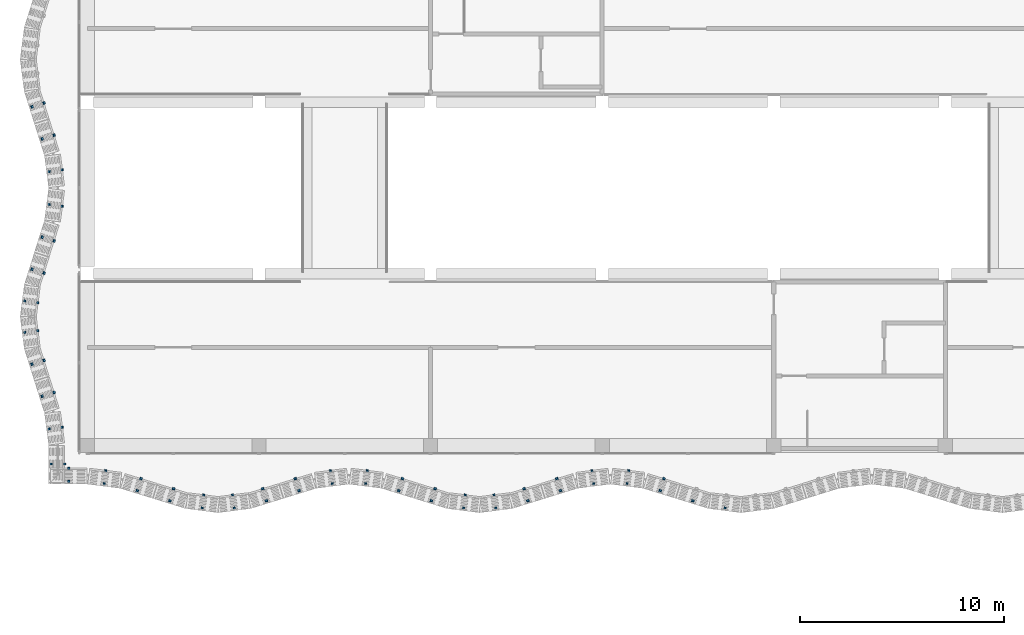
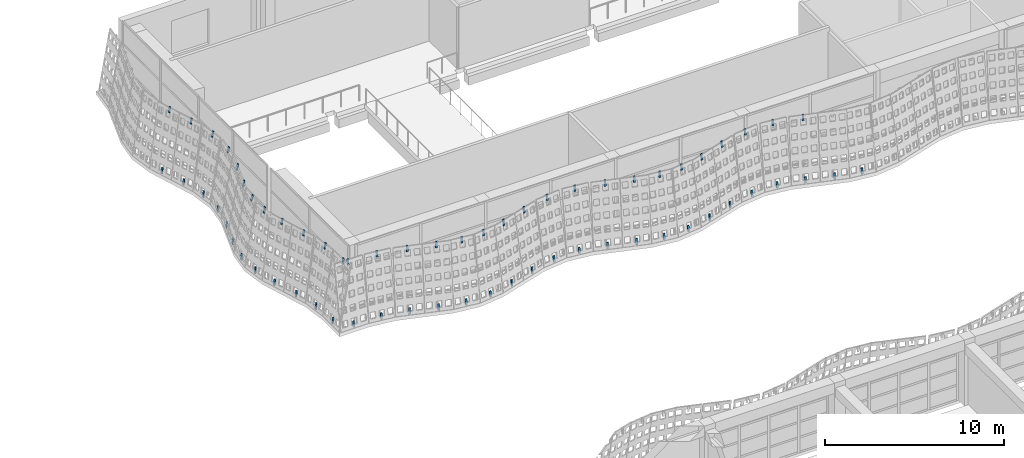
# One storey, part 104 of 162: 64 discrete accessories.
"""IFC4 building model written with IfcOpenShell, lengths in metres."""

from ifc_helpers import new_model, si_unit, direction, frame, origin, origin_2d, place, context, subcontext, project, spatial, rectangle, extrude, material, material_profile, profile_set, type_object, element, save


model = new_model("IFC4")

# Units and contexts
model_context = context("Model", 3, precision=1e-05, world=origin(), true_north=direction((0.0, 1.0)))
body_context = subcontext(model_context, "Body", "Model", "MODEL_VIEW")
ifc_project = project(units=[si_unit("LENGTHUNIT", "METRE"), si_unit("AREAUNIT", "SQUARE_METRE"), si_unit("VOLUMEUNIT", "CUBIC_METRE"), si_unit("PLANEANGLEUNIT", "RADIAN"), si_unit("MASSUNIT", "GRAM", prefix="KILO")], contexts=[model_context])

# Site, building, storey
site_placement = place(None, origin())
site = spatial("IfcSite", under=ifc_project, at=site_placement, CompositionType="ELEMENT")
building_placement = place(site_placement, origin())
building = spatial("IfcBuilding", under=site, at=building_placement, Name="Rain Tree Exposition and Congress Centre", CompositionType="ELEMENT")
storey_placement = place(building_placement, frame((0.0, 0.0, 6.0)))
storey = spatial("IfcBuildingStorey", under=building, at=storey_placement, Name="L01", CompositionType="ELEMENT", Elevation=6.0)

# Discrete accessories
ifc_material = material(Name="Steel S355J2", Category="steel")
ifc_material_profile = material_profile(ifc_material, rectangle(XDim=0.1201171875, YDim=0.050048828125, at=origin_2d()), Name="Flat bar 120x50")
ifc_profile_set = profile_set([ifc_material_profile], Name="Steel S355J2")
discrete_accessory_type = type_object("IfcDiscreteAccessoryType", Name="Screen bracket 120x50", PredefinedType="BRACKET", material=ifc_profile_set)
for number, where, z_axis, x_axis, name in (
    (1, (0.894775390625, 74.336181640625, 3.851318359375), (0.020753706516, 0.162977636468, 0.986411462665), (-0.991989449114, 0.12632075382, 0.0), "concourse/bracket/L01/0011t"),
    (2, (0.8134765625, 73.701416015625, 0.004150390625), (0.020753706516, 0.162977636468, 0.986411462665), (-0.991989449114, 0.12632075382, 0.0), "concourse/bracket/L01/0011b"),
):
    element("IfcDiscreteAccessory", number, at=place(storey_placement, frame(where, z_axis=z_axis, x_axis=x_axis)), inside=storey, type_object=discrete_accessory_type, Name=name, PredefinedType="BRACKET", context=body_context, shape_type="SweptSolid", body=[
        extrude(rectangle(XDim=0.1201171875, YDim=0.050048828125, at=origin_2d()), origin(), (0.0, 0.0, 1.0), 0.39990234375),
    ])
for number, where, z_axis, x_axis, name in (
    (3, (2.61328125, 73.936279296875, 3.85107421875), (0.046383656621, 0.150746884018, 0.987483637007), (-0.955779008722, 0.294085848838, 0.0), "concourse/bracket/L01/0021t"),
    (4, (2.430908203125, 73.347412109375, 0.00390625), (0.046988297524, 0.151338932283, 0.987364485624), (-0.955026538869, 0.296520336665, 0.0), "concourse/bracket/L01/0021b"),
    (5, (4.2099609375, 73.4423828125, 3.85107421875), (0.046383656621, 0.150746884018, 0.987483637007), (-0.955779008722, 0.294085848838, 0.0), "concourse/bracket/L01/0031t"),
    (6, (4.027587890625, 72.853515625, 0.00390625), (0.04699262887, 0.150742588713, 0.987455500152), (-0.954686073127, 0.297614686764, 0.0), "concourse/bracket/L01/0031b"),
):
    element("IfcDiscreteAccessory", number, at=place(storey_placement, frame(where, z_axis=z_axis, x_axis=x_axis)), inside=storey, type_object=discrete_accessory_type, Name=name, PredefinedType="BRACKET", context=body_context, shape_type="SweptSolid", body=[
        extrude(rectangle(XDim=0.1201171875, YDim=0.050048828125, at=origin_2d()), origin(), (0.0, 0.0, 1.0), 0.400146484375),
    ])
for number, where, z_axis, x_axis, name in (
    (7, (5.693115234375, 73.141357421875, 3.851318359375), (0.020753706516, 0.162977636468, 0.986411462665), (-0.991989449114, 0.12632075382, 0.0), "concourse/bracket/L01/0041t"),
    (8, (5.61181640625, 72.506591796875, 0.004150390625), (0.020753706516, 0.162977636468, 0.986411462665), (-0.991989449114, 0.12632075382, 0.0), "concourse/bracket/L01/0041b"),
    (9, (7.10693359375, 73.141357421875, 3.851318359375), (-0.020753706516, 0.162977636468, 0.986411462665), (-0.991989449114, -0.12632075382, 0.0), "concourse/bracket/L01/0051t"),
    (10, (7.188232421875, 72.506591796875, 0.004150390625), (-0.020753706516, 0.162977636468, 0.986411462665), (-0.991989449114, -0.12632075382, 0.0), "concourse/bracket/L01/0051b"),
):
    element("IfcDiscreteAccessory", number, at=place(storey_placement, frame(where, z_axis=z_axis, x_axis=x_axis)), inside=storey, type_object=discrete_accessory_type, Name=name, PredefinedType="BRACKET", context=body_context, shape_type="SweptSolid", body=[
        extrude(rectangle(XDim=0.1201171875, YDim=0.050048828125, at=origin_2d()), origin(), (0.0, 0.0, 1.0), 0.39990234375),
    ])
for number, where, z_axis, x_axis, name in (
    (11, (8.590087890625, 73.4423828125, 3.85107421875), (-0.04699262887, 0.150742588713, 0.987455500152), (-0.954686073127, -0.297614686764, 0.0), "concourse/bracket/L01/0061t"),
    (12, (8.772216796875, 72.853515625, 0.00390625), (-0.046383656621, 0.150746884018, 0.987483637007), (-0.955779008722, -0.294085848838, 0.0), "concourse/bracket/L01/0061b"),
    (13, (10.186767578125, 73.936279296875, 3.85107421875), (-0.046383656621, 0.150746884018, 0.987483637007), (-0.955779008722, -0.294085848838, 0.0), "concourse/bracket/L01/0071t"),
    (14, (10.368896484375, 73.347412109375, 0.00390625), (-0.04637938116, 0.151343243786, 0.9873926147), (-0.956111824862, -0.293002010845, 0.0), "concourse/bracket/L01/0071b"),
):
    element("IfcDiscreteAccessory", number, at=place(storey_placement, frame(where, z_axis=z_axis, x_axis=x_axis)), inside=storey, type_object=discrete_accessory_type, Name=name, PredefinedType="BRACKET", context=body_context, shape_type="SweptSolid", body=[
        extrude(rectangle(XDim=0.1201171875, YDim=0.050048828125, at=origin_2d()), origin(), (0.0, 0.0, 1.0), 0.400146484375),
    ])
for number, where, z_axis, x_axis, name in (
    (15, (11.9052734375, 74.336181640625, 3.851318359375), (-0.020753706516, 0.162977636468, 0.986411462665), (-0.991989449114, -0.12632075382, 0.0), "concourse/bracket/L01/0081t"),
    (16, (11.986572265625, 73.701416015625, 0.004150390625), (-0.020753706516, 0.162977636468, 0.986411462665), (-0.991989449114, -0.12632075382, 0.0), "concourse/bracket/L01/0081b"),
    (17, (13.694580078125, 74.336181640625, 3.851318359375), (0.020753706516, 0.162977636468, 0.986411462665), (-0.991989449114, 0.12632075382, 0.0), "concourse/bracket/L01/0091t"),
    (18, (13.61328125, 73.701416015625, 0.004150390625), (0.020753706516, 0.162977636468, 0.986411462665), (-0.991989449114, 0.12632075382, 0.0), "concourse/bracket/L01/0091b"),
):
    element("IfcDiscreteAccessory", number, at=place(storey_placement, frame(where, z_axis=z_axis, x_axis=x_axis)), inside=storey, type_object=discrete_accessory_type, Name=name, PredefinedType="BRACKET", context=body_context, shape_type="SweptSolid", body=[
        extrude(rectangle(XDim=0.1201171875, YDim=0.050048828125, at=origin_2d()), origin(), (0.0, 0.0, 1.0), 0.39990234375),
    ])
for number, where, z_axis, x_axis, name in (
    (19, (15.4130859375, 73.936279296875, 3.85107421875), (0.04699262887, 0.150742588713, 0.987455500152), (-0.954686073127, 0.297614686764, 0.0), "concourse/bracket/L01/0101t"),
    (20, (15.23095703125, 73.347412109375, 0.00390625), (0.046988297524, 0.151338932283, 0.987364485624), (-0.955026538869, 0.296520336665, 0.0), "concourse/bracket/L01/0101b"),
    (21, (17.010009765625, 73.4423828125, 3.85107421875), (0.046383656621, 0.150746884018, 0.987483637007), (-0.955779008722, 0.294085848838, 0.0), "concourse/bracket/L01/0111t"),
    (22, (16.82763671875, 72.853515625, 0.00390625), (0.04699262887, 0.150742588713, 0.987455500152), (-0.954686073127, 0.297614686764, 0.0), "concourse/bracket/L01/0111b"),
):
    element("IfcDiscreteAccessory", number, at=place(storey_placement, frame(where, z_axis=z_axis, x_axis=x_axis)), inside=storey, type_object=discrete_accessory_type, Name=name, PredefinedType="BRACKET", context=body_context, shape_type="SweptSolid", body=[
        extrude(rectangle(XDim=0.1201171875, YDim=0.050048828125, at=origin_2d()), origin(), (0.0, 0.0, 1.0), 0.400146484375),
    ])
for number, where, z_axis, x_axis, name in (
    (23, (18.492919921875, 73.141357421875, 3.851318359375), (0.021363835031, 0.162975541524, 0.986398783159), (-0.991517377774, 0.129974188098, 0.0), "concourse/bracket/L01/0121t"),
    (24, (18.41162109375, 72.506591796875, 0.004150390625), (0.020753706516, 0.162977636468, 0.986411462665), (-0.991989449114, 0.12632075382, 0.0), "concourse/bracket/L01/0121b"),
    (25, (19.906982421875, 73.141357421875, 3.851318359375), (-0.020753706516, 0.162977636468, 0.986411462665), (-0.991989449114, -0.12632075382, 0.0), "concourse/bracket/L01/0131t"),
    (26, (19.98828125, 72.506591796875, 0.004150390625), (-0.020753706516, 0.162977636468, 0.986411462665), (-0.991989449114, -0.12632075382, 0.0), "concourse/bracket/L01/0131b"),
):
    element("IfcDiscreteAccessory", number, at=place(storey_placement, frame(where, z_axis=z_axis, x_axis=x_axis)), inside=storey, type_object=discrete_accessory_type, Name=name, PredefinedType="BRACKET", context=body_context, shape_type="SweptSolid", body=[
        extrude(rectangle(XDim=0.1201171875, YDim=0.050048828125, at=origin_2d()), origin(), (0.0, 0.0, 1.0), 0.39990234375),
    ])
for number, where, z_axis, x_axis, name in (
    (27, (21.39013671875, 73.4423828125, 3.85107421875), (-0.04699262887, 0.150742588713, 0.987455500152), (-0.954686073127, -0.297614686764, 0.0), "concourse/bracket/L01/0141t"),
    (28, (21.572265625, 72.853515625, 0.00390625), (-0.046383656621, 0.150746884018, 0.987483637007), (-0.955779008722, -0.294085848838, 0.0), "concourse/bracket/L01/0141b"),
    (29, (22.98681640625, 73.936279296875, 3.85107421875), (-0.04699262887, 0.150742588713, 0.987455500152), (-0.954686073127, -0.297614686764, 0.0), "concourse/bracket/L01/0151t"),
    (30, (23.1689453125, 73.347412109375, 0.00390625), (-0.04637938116, 0.151343243786, 0.9873926147), (-0.956111824862, -0.293002010845, 0.0), "concourse/bracket/L01/0151b"),
):
    element("IfcDiscreteAccessory", number, at=place(storey_placement, frame(where, z_axis=z_axis, x_axis=x_axis)), inside=storey, type_object=discrete_accessory_type, Name=name, PredefinedType="BRACKET", context=body_context, shape_type="SweptSolid", body=[
        extrude(rectangle(XDim=0.1201171875, YDim=0.050048828125, at=origin_2d()), origin(), (0.0, 0.0, 1.0), 0.400146484375),
    ])
for number, where, z_axis, x_axis, name in (
    (31, (24.705322265625, 74.336181640625, 3.851318359375), (-0.020753706516, 0.162977636468, 0.986411462665), (-0.991989449114, -0.12632075382, 0.0), "concourse/bracket/L01/0161t"),
    (32, (24.78662109375, 73.701416015625, 0.004150390625), (-0.020753706516, 0.162977636468, 0.986411462665), (-0.991989449114, -0.12632075382, 0.0), "concourse/bracket/L01/0161b"),
    (33, (26.49462890625, 74.336181640625, 3.851318359375), (0.020753706516, 0.162977636468, 0.986411462665), (-0.991989449114, 0.12632075382, 0.0), "concourse/bracket/L01/0171t"),
    (34, (26.413330078125, 73.701416015625, 0.004150390625), (0.020753706516, 0.162977636468, 0.986411462665), (-0.991989449114, 0.12632075382, 0.0), "concourse/bracket/L01/0171b"),
):
    element("IfcDiscreteAccessory", number, at=place(storey_placement, frame(where, z_axis=z_axis, x_axis=x_axis)), inside=storey, type_object=discrete_accessory_type, Name=name, PredefinedType="BRACKET", context=body_context, shape_type="SweptSolid", body=[
        extrude(rectangle(XDim=0.1201171875, YDim=0.050048828125, at=origin_2d()), origin(), (0.0, 0.0, 1.0), 0.39990234375),
    ])
for number, where, z_axis, x_axis, name in (
    (35, (28.213134765625, 73.936279296875, 3.85107421875), (0.04699262887, 0.150742588713, 0.987455500152), (-0.954686073127, 0.297614686764, 0.0), "concourse/bracket/L01/0181t"),
    (36, (28.031005859375, 73.347412109375, 0.00390625), (0.046988297524, 0.151338932283, 0.987364485624), (-0.955026538869, 0.296520336665, 0.0), "concourse/bracket/L01/0181b"),
    (37, (29.627685546875, 72.853515625, 0.00390625), (0.04699262887, 0.150742588713, 0.987455500152), (-0.954686073127, 0.297614686764, 0.0), "concourse/bracket/L01/0191b"),
):
    element("IfcDiscreteAccessory", number, at=place(storey_placement, frame(where, z_axis=z_axis, x_axis=x_axis)), inside=storey, type_object=discrete_accessory_type, Name=name, PredefinedType="BRACKET", context=body_context, shape_type="SweptSolid", body=[
        extrude(rectangle(XDim=0.1201171875, YDim=0.050048828125, at=origin_2d()), origin(), (0.0, 0.0, 1.0), 0.400146484375),
    ])
discrete_accessory_placement = place(storey_placement, frame((31.211669921875, 72.506591796875, 0.004150390625), z_axis=(0.020753706516, 0.162977636468, 0.986411462665), x_axis=(-0.991989449114, 0.12632075382, 0.0)))
element("IfcDiscreteAccessory", 38, at=discrete_accessory_placement, inside=storey, type_object=discrete_accessory_type, Name="concourse/bracket/L01/0201b", PredefinedType="BRACKET", context=body_context, shape_type="SweptSolid", body=[
    extrude(rectangle(XDim=0.1201171875, YDim=0.050048828125, at=origin_2d()), origin(), (0.0, 0.0, 1.0), 0.39990234375),
])
for number, where, z_axis, x_axis, name in (
    (39, (-2.159423828125, 92.35009765625, 3.85107421875), (0.150738237635, 0.047601548727, 0.987426997946), (-0.301131367937, 0.953582665134, 0.0), "concourse/bracket/L01/1971t"),
    (40, (-2.74658203125, 92.16552734375, 0.00390625), (0.150738237635, 0.047601548727, 0.987426997946), (-0.301131367937, 0.953582665134, 0.0), "concourse/bracket/L01/1971b"),
    (41, (-1.66552734375, 90.778564453125, 3.85107421875), (0.150742588713, 0.04699262887, 0.987455500152), (-0.297614686764, 0.954686073127, 0.0), "concourse/bracket/L01/1981t"),
    (42, (-2.252685546875, 90.593994140625, 0.00390625), (0.150742588713, 0.04699262887, 0.987455500152), (-0.297614686764, 0.954686073127, 0.0), "concourse/bracket/L01/1981b"),
):
    element("IfcDiscreteAccessory", number, at=place(storey_placement, frame(where, z_axis=z_axis, x_axis=x_axis)), inside=storey, type_object=discrete_accessory_type, Name=name, PredefinedType="BRACKET", context=body_context, shape_type="SweptSolid", body=[
        extrude(rectangle(XDim=0.1201171875, YDim=0.050048828125, at=origin_2d()), origin(), (0.0, 0.0, 1.0), 0.400146484375),
    ])
for number, where, z_axis, x_axis, name in (
    (43, (-1.26416015625, 89.08349609375, 3.851318359375), (0.162381270396, 0.021365956631, 0.986496740452), (-0.130454512571, 0.991454295543, 0.0), "concourse/bracket/L01/1991t"),
    (44, (-1.898681640625, 89.001220703125, 0.004150390625), (0.162977636468, 0.020753706516, 0.986411462665), (-0.12632075382, 0.991989449114, 0.0), "concourse/bracket/L01/1991b"),
    (45, (-1.26416015625, 87.31640625, 3.851318359375), (0.162381270396, -0.021365956631, 0.986496740452), (0.130454512571, 0.991454295543, 0.0), "concourse/bracket/L01/2001t"),
    (46, (-1.898681640625, 87.39892578125, 0.004150390625), (0.162975541524, -0.021363835031, 0.986398783159), (0.129974188098, 0.991517377774, 0.0), "concourse/bracket/L01/2001b"),
):
    element("IfcDiscreteAccessory", number, at=place(storey_placement, frame(where, z_axis=z_axis, x_axis=x_axis)), inside=storey, type_object=discrete_accessory_type, Name=name, PredefinedType="BRACKET", context=body_context, shape_type="SweptSolid", body=[
        extrude(rectangle(XDim=0.1201171875, YDim=0.050048828125, at=origin_2d()), origin(), (0.0, 0.0, 1.0), 0.39990234375),
    ])
for number, where, z_axis, x_axis, name in (
    (47, (-1.66552734375, 85.62158203125, 3.85107421875), (0.150738237635, -0.047601548727, 0.987426997946), (0.301131367937, 0.953582665134, 0.0), "concourse/bracket/L01/2011t"),
    (48, (-2.252685546875, 85.805908203125, 0.00390625), (0.150742588713, -0.04699262887, 0.987455500152), (0.297614686764, 0.954686073127, 0.0), "concourse/bracket/L01/2011b"),
    (49, (-2.159423828125, 84.0498046875, 3.85107421875), (0.150742588713, -0.04699262887, 0.987455500152), (0.297614686764, 0.954686073127, 0.0), "concourse/bracket/L01/2021t"),
    (50, (-2.74658203125, 84.234375, 0.00390625), (0.150738237635, -0.047601548727, 0.987426997946), (0.301131367937, 0.953582665134, 0.0), "concourse/bracket/L01/2021b"),
):
    element("IfcDiscreteAccessory", number, at=place(storey_placement, frame(where, z_axis=z_axis, x_axis=x_axis)), inside=storey, type_object=discrete_accessory_type, Name=name, PredefinedType="BRACKET", context=body_context, shape_type="SweptSolid", body=[
        extrude(rectangle(XDim=0.1201171875, YDim=0.050048828125, at=origin_2d()), origin(), (0.0, 0.0, 1.0), 0.400146484375),
    ])
for number, where, z_axis, x_axis, name in (
    (51, (-2.458984375, 82.593017578125, 3.851318359375), (0.162977636468, -0.020753706516, 0.986411462665), (0.12632075382, 0.991989449114, 0.0), "concourse/bracket/L01/2031t"),
    (52, (-3.093505859375, 82.675537109375, 0.004150390625), (0.162975541524, -0.021363835031, 0.986398783159), (0.129974188098, 0.991517377774, 0.0), "concourse/bracket/L01/2031b"),
    (53, (-2.458984375, 81.20703125, 3.851318359375), (0.162977636468, 0.020753706516, 0.986411462665), (-0.12632075382, 0.991989449114, 0.0), "concourse/bracket/L01/2041t"),
    (54, (-3.093505859375, 81.12451171875, 0.004150390625), (0.162977636468, 0.020753706516, 0.986411462665), (-0.12632075382, 0.991989449114, 0.0), "concourse/bracket/L01/2041b"),
):
    element("IfcDiscreteAccessory", number, at=place(storey_placement, frame(where, z_axis=z_axis, x_axis=x_axis)), inside=storey, type_object=discrete_accessory_type, Name=name, PredefinedType="BRACKET", context=body_context, shape_type="SweptSolid", body=[
        extrude(rectangle(XDim=0.1201171875, YDim=0.050048828125, at=origin_2d()), origin(), (0.0, 0.0, 1.0), 0.39990234375),
    ])
for number, where, z_axis, x_axis, name in (
    (55, (-2.159423828125, 79.75, 3.85107421875), (0.150738237635, 0.047601548727, 0.987426997946), (-0.301131367937, 0.953582665134, 0.0), "concourse/bracket/L01/2051t"),
    (56, (-2.74658203125, 79.565673828125, 0.00390625), (0.150738237635, 0.047601548727, 0.987426997946), (-0.301131367937, 0.953582665134, 0.0), "concourse/bracket/L01/2051b"),
    (57, (-1.66552734375, 78.178466796875, 3.85107421875), (0.150738237635, 0.047601548727, 0.987426997946), (-0.301131367937, 0.953582665134, 0.0), "concourse/bracket/L01/2061t"),
    (58, (-2.252685546875, 77.993896484375, 0.00390625), (0.150738237635, 0.047601548727, 0.987426997946), (-0.301131367937, 0.953582665134, 0.0), "concourse/bracket/L01/2061b"),
):
    element("IfcDiscreteAccessory", number, at=place(storey_placement, frame(where, z_axis=z_axis, x_axis=x_axis)), inside=storey, type_object=discrete_accessory_type, Name=name, PredefinedType="BRACKET", context=body_context, shape_type="SweptSolid", body=[
        extrude(rectangle(XDim=0.1201171875, YDim=0.050048828125, at=origin_2d()), origin(), (0.0, 0.0, 1.0), 0.400146484375),
    ])
for number, where, z_axis, x_axis, name in (
    (59, (-1.26416015625, 76.483642578125, 3.851318359375), (0.162381270396, 0.021365956631, 0.986496740452), (-0.130454512571, 0.991454295543, 0.0), "concourse/bracket/L01/2071t"),
    (60, (-1.898681640625, 76.401123046875, 0.004150390625), (0.162977636468, 0.020753706516, 0.986411462665), (-0.12632075382, 0.991989449114, 0.0), "concourse/bracket/L01/2071b"),
    (61, (-1.14990234375, 74.68994140625, 3.851318359375), (0.164794877674, 0.0, 0.986327860446), (0.0, 1.0, 0.0), "concourse/bracket/L01/2081t"),
):
    element("IfcDiscreteAccessory", number, at=place(storey_placement, frame(where, z_axis=z_axis, x_axis=x_axis)), inside=storey, type_object=discrete_accessory_type, Name=name, PredefinedType="BRACKET", context=body_context, shape_type="SweptSolid", body=[
        extrude(rectangle(XDim=0.1201171875, YDim=0.050048828125, at=origin_2d()), origin(), (0.0, 0.0, 1.0), 0.39990234375),
    ])
for number, where, z_axis, x_axis, name in (
    (62, (-1.795166015625, 74.68994140625, 0.004150390625), (0.165388563864, 0.0, 0.986228484147), (0.0, 1.0, 0.0), "concourse/bracket/L01/2081b"),
    (63, (-0.91015625, 74.449951171875, 3.851318359375), (0.0, 0.165388563864, 0.986228484147), (-1.0, 0.0, 0.0), "concourse/bracket/L01/2091t"),
    (64, (-0.91015625, 73.8046875, 0.004150390625), (0.0, 0.16598207031, 0.986128770666), (-1.0, 0.0, 0.0), "concourse/bracket/L01/2091b"),
):
    element("IfcDiscreteAccessory", number, at=place(storey_placement, frame(where, z_axis=z_axis, x_axis=x_axis)), inside=storey, type_object=discrete_accessory_type, Name=name, PredefinedType="BRACKET", context=body_context, shape_type="SweptSolid", body=[
        extrude(rectangle(XDim=0.1201171875, YDim=0.050048828125, at=origin_2d()), origin(), (0.0, 0.0, 1.0), 0.400146484375),
    ])

save(model, "model.ifc")
